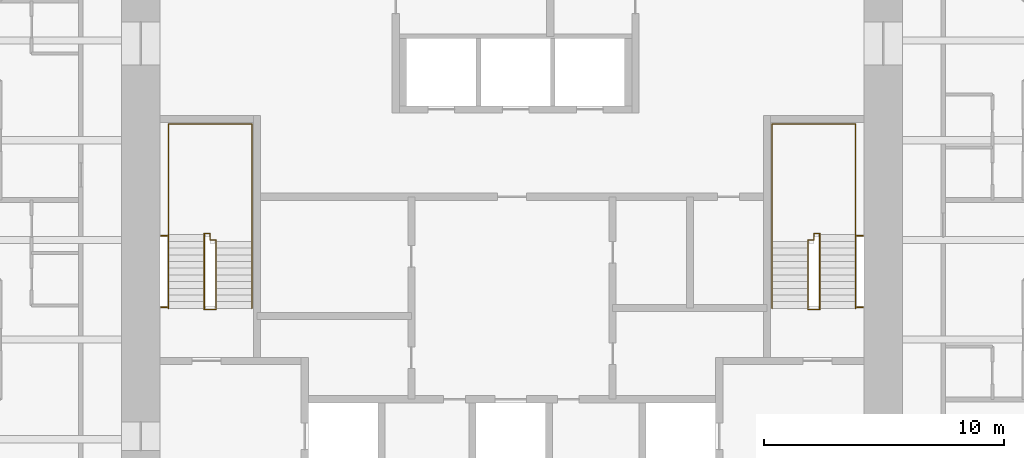
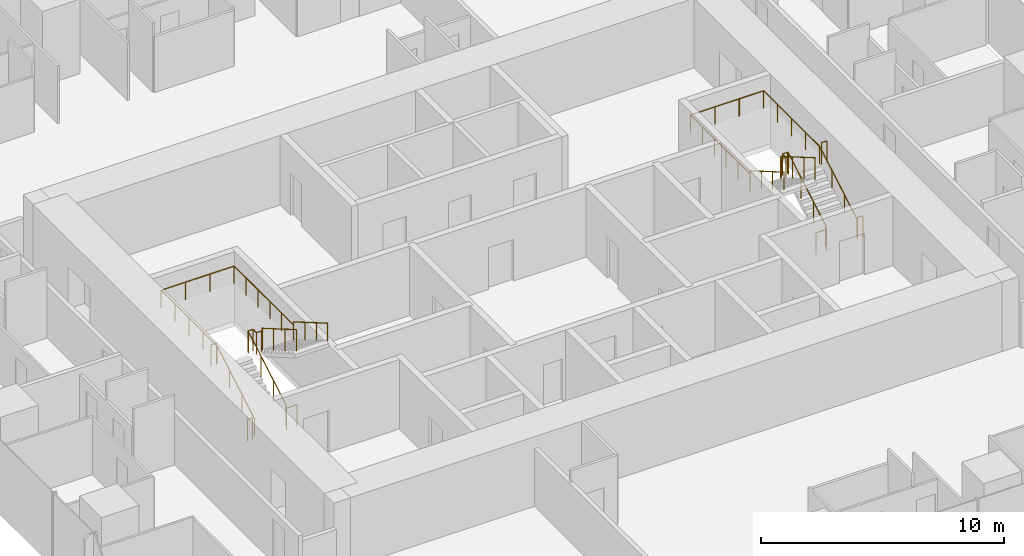
# One storey, part 12 of 12: 8 railings.
"""IFC4 building model written with IfcOpenShell, lengths in metres."""

from ifc_helpers import new_model, si_unit, direction, frame, origin, origin_2d, place, context, subcontext, project, spatial, circle, extrude, material, type_object, element, save


model = new_model("IFC4")

# Units and contexts
model_context = context("Model", 3, precision=1e-05, world=origin(), true_north=direction((0.0, 1.0)))
body_context = subcontext(model_context, "Body", "Model", "MODEL_VIEW")
ifc_project = project(units=[si_unit("LENGTHUNIT", "METRE"), si_unit("AREAUNIT", "SQUARE_METRE"), si_unit("VOLUMEUNIT", "CUBIC_METRE"), si_unit("PLANEANGLEUNIT", "RADIAN"), si_unit("MASSUNIT", "GRAM", prefix="KILO")], contexts=[model_context])

# Site, building, storey
site_placement = place(None, origin())
site = spatial("IfcSite", under=ifc_project, at=site_placement, CompositionType="ELEMENT")
building_placement = place(site_placement, origin())
building = spatial("IfcBuilding", under=site, at=building_placement, Name="Khuree Lantern Residences", CompositionType="ELEMENT")
storey_placement = place(building_placement, frame((0.0, 0.0, 240.75)))
storey = spatial("IfcBuildingStorey", under=building, at=storey_placement, Name="L60", CompositionType="ELEMENT", Elevation=240.75)

# Railings
ifc_material = material(Name="Steel S355", Category="steel")
railing_type_1 = type_object("IfcRailingType", Name="STAIR GUARD G1 1100", PredefinedType="GUARDRAIL", material=ifc_material)
railing_1_placement = place(storey_placement, frame((-12.35009765625, -2.909912109375, 0.0)))
element("IfcRailing", 1, at=railing_1_placement, inside=storey, type_object=railing_type_1, Name="Stair ST1 guard", PredefinedType="GUARDRAIL", context=body_context, shape_type="SweptSolid", body=[
    extrude(circle(Radius=0.02392578125, at=origin_2d()), frame((0.0, 0.0, 1.076171875), z_axis=(-1.0, 0.0, 0.0), x_axis=(0.0, -1.0, 0.0)), (0.0, 0.0, 1.0), 0.5),
    extrude(circle(Radius=0.02392578125, at=origin_2d()), frame((-0.5, 0.0, 1.076171875), z_axis=(0.0, 0.292073035251, 0.95639601739), x_axis=(-1.0, 0.0, 0.0)), (0.0, 0.0, 1.0), 0.17041015625),
    extrude(circle(Radius=0.02392578125, at=origin_2d()), frame((-0.5, 0.0498046875, 1.2392578125), z_axis=(0.0, 0.864176135923, 0.503189433615), x_axis=(-1.0, 0.0, 0.0)), (0.0, 0.0, 1.0), 3.564208984375),
    extrude(circle(Radius=0.02392578125, at=origin_2d()), frame((-0.5, 3.1298828125, 3.03271484375), z_axis=(0.0, 1.0, 0.0), x_axis=(-1.0, 0.0, 0.0)), (0.0, 0.0, 1.0), 0.050048828125),
    extrude(circle(Radius=0.02392578125, at=origin_2d()), frame((-0.5, 3.179931640625, 3.03271484375), z_axis=(1.0, 0.0, 0.0), x_axis=(0.0, 1.0, 0.0)), (0.0, 0.0, 1.0), 0.25),
    extrude(circle(Radius=0.02392578125, at=origin_2d()), frame((-0.25, 3.179931640625, 3.03271484375), z_axis=(0.0, -1.0, 0.0), x_axis=(1.0, 0.0, 0.0)), (0.0, 0.0, 1.0), 0.280029296875),
    extrude(circle(Radius=0.02392578125, at=origin_2d()), frame((-0.25, 2.89990234375, 3.03271484375), z_axis=(1.0, 0.0, 0.0), x_axis=(0.0, 1.0, 0.0)), (0.0, 0.0, 1.0), 0.25),
    extrude(circle(Radius=0.02392578125, at=origin_2d()), frame((0.0, 2.89990234375, 3.03271484375), z_axis=(0.0, -0.293381807449, 0.955995353053), x_axis=(1.0, 0.0, 0.0)), (0.0, 0.0, 1.0), 0.170654296875),
    extrude(circle(Radius=0.02392578125, at=origin_2d()), frame((0.0, 2.849853515625, 3.19580078125), z_axis=(0.0, -0.864180358799, 0.503182181189), x_axis=(1.0, 0.0, 0.0)), (0.0, 0.0, 1.0), 3.240234375),
    extrude(circle(Radius=0.02099609375, at=origin_2d()), origin(), (0.0, 0.0, 1.0), 1.052001953125),
    extrude(circle(Radius=0.02099609375, at=origin_2d()), frame((-0.5, 0.0, 0.0)), (0.0, 0.0, 1.0), 1.052001953125),
    extrude(circle(Radius=0.02099609375, at=origin_2d()), frame((-0.5, 0.0498046875, 0.1630859375)), (0.0, 0.0, 1.0), 1.052001953125),
    extrude(circle(Radius=0.02099609375, at=origin_2d()), frame((-0.5, 1.076416015625, 0.760986328125)), (0.0, 0.0, 1.0), 1.052001953125),
    extrude(circle(Radius=0.02099609375, at=origin_2d()), frame((-0.5, 2.103271484375, 1.358642578125)), (0.0, 0.0, 1.0), 1.052001953125),
    extrude(circle(Radius=0.02099609375, at=origin_2d()), frame((-0.5, 3.1298828125, 1.95654296875)), (0.0, 0.0, 1.0), 1.052001953125),
    extrude(circle(Radius=0.02099609375, at=origin_2d()), frame((-0.5, 3.179931640625, 1.95654296875)), (0.0, 0.0, 1.0), 1.052001953125),
    extrude(circle(Radius=0.02099609375, at=origin_2d()), frame((-0.25, 3.179931640625, 1.95654296875)), (0.0, 0.0, 1.0), 1.052001953125),
    extrude(circle(Radius=0.02099609375, at=origin_2d()), frame((-0.25, 2.89990234375, 1.95654296875)), (0.0, 0.0, 1.0), 1.052001953125),
    extrude(circle(Radius=0.02099609375, at=origin_2d()), frame((0.0, 2.89990234375, 1.95654296875)), (0.0, 0.0, 1.0), 1.052001953125),
    extrude(circle(Radius=0.02099609375, at=origin_2d()), frame((0.0, 2.849853515625, 2.11962890625)), (0.0, 0.0, 1.0), 1.052001953125),
    extrude(circle(Radius=0.02099609375, at=origin_2d()), frame((0.0, 1.91650390625, 2.6630859375)), (0.0, 0.0, 1.0), 1.052001953125),
    extrude(circle(Radius=0.02099609375, at=origin_2d()), frame((0.0, 0.983154296875, 3.20654296875)), (0.0, 0.0, 1.0), 1.052001953125),
    extrude(circle(Radius=0.02099609375, at=origin_2d()), frame((0.0, 0.0498046875, 3.75)), (0.0, 0.0, 1.0), 1.052001953125),
])
for number, where, name in (
    (2, (-14.64990234375, -2.81005859375, 0.0), "Stair ST1 landing slot guard"),
    (3, (-14.64990234375, 0.169921875, 1.95654296875), "Stair ST1 landing slot guard"),
):
    element("IfcRailing", number, at=place(storey_placement, frame(where)), inside=storey, type_object=railing_type_1, Name=name, PredefinedType="GUARDRAIL", context=body_context, shape_type="SweptSolid", body=[
        extrude(circle(Radius=0.02392578125, at=origin_2d()), frame((0.0, 0.0, 1.076171875), z_axis=(1.0, 0.0, 0.0), x_axis=(0.0, 1.0, 0.0)), (0.0, 0.0, 1.0), 0.25),
        extrude(circle(Radius=0.02099609375, at=origin_2d()), origin(), (0.0, 0.0, 1.0), 1.052001953125),
        extrude(circle(Radius=0.02099609375, at=origin_2d()), frame((0.25, 0.0, 0.0)), (0.0, 0.0, 1.0), 1.052001953125),
    ])
railing_2_placement = place(storey_placement, frame((12.35009765625, -2.909912109375, 0.0)))
element("IfcRailing", 4, at=railing_2_placement, inside=storey, type_object=railing_type_1, Name="Stair ST2 guard", PredefinedType="GUARDRAIL", context=body_context, shape_type="SweptSolid", body=[
    extrude(circle(Radius=0.02392578125, at=origin_2d()), frame((0.0, 0.0, 1.076171875), z_axis=(1.0, 0.0, 0.0), x_axis=(0.0, 1.0, 0.0)), (0.0, 0.0, 1.0), 0.5),
    extrude(circle(Radius=0.02392578125, at=origin_2d()), frame((0.5, 0.0, 1.076171875), z_axis=(0.0, 0.292073035251, 0.95639601739), x_axis=(-1.0, 0.0, 0.0)), (0.0, 0.0, 1.0), 0.17041015625),
    extrude(circle(Radius=0.02392578125, at=origin_2d()), frame((0.5, 0.0498046875, 1.2392578125), z_axis=(0.0, 0.864176135923, 0.503189433615), x_axis=(-1.0, 0.0, 0.0)), (0.0, 0.0, 1.0), 3.564208984375),
    extrude(circle(Radius=0.02392578125, at=origin_2d()), frame((0.5, 3.1298828125, 3.03271484375), z_axis=(0.0, 1.0, 0.0), x_axis=(-1.0, 0.0, 0.0)), (0.0, 0.0, 1.0), 0.050048828125),
    extrude(circle(Radius=0.02392578125, at=origin_2d()), frame((0.5, 3.179931640625, 3.03271484375), z_axis=(-1.0, 0.0, 0.0), x_axis=(0.0, -1.0, 0.0)), (0.0, 0.0, 1.0), 0.25),
    extrude(circle(Radius=0.02392578125, at=origin_2d()), frame((0.25, 3.179931640625, 3.03271484375), z_axis=(0.0, -1.0, 0.0), x_axis=(1.0, 0.0, 0.0)), (0.0, 0.0, 1.0), 0.280029296875),
    extrude(circle(Radius=0.02392578125, at=origin_2d()), frame((0.25, 2.89990234375, 3.03271484375), z_axis=(-1.0, 0.0, 0.0), x_axis=(0.0, -1.0, 0.0)), (0.0, 0.0, 1.0), 0.25),
    extrude(circle(Radius=0.02392578125, at=origin_2d()), frame((0.0, 2.89990234375, 3.03271484375), z_axis=(0.0, -0.293381807449, 0.955995353053), x_axis=(1.0, 0.0, 0.0)), (0.0, 0.0, 1.0), 0.170654296875),
    extrude(circle(Radius=0.02392578125, at=origin_2d()), frame((0.0, 2.849853515625, 3.19580078125), z_axis=(0.0, -0.864180358799, 0.503182181189), x_axis=(1.0, 0.0, 0.0)), (0.0, 0.0, 1.0), 3.240234375),
    extrude(circle(Radius=0.02099609375, at=origin_2d()), origin(), (0.0, 0.0, 1.0), 1.052001953125),
    extrude(circle(Radius=0.02099609375, at=origin_2d()), frame((0.5, 0.0, 0.0)), (0.0, 0.0, 1.0), 1.052001953125),
    extrude(circle(Radius=0.02099609375, at=origin_2d()), frame((0.5, 0.0498046875, 0.1630859375)), (0.0, 0.0, 1.0), 1.052001953125),
    extrude(circle(Radius=0.02099609375, at=origin_2d()), frame((0.5, 1.076416015625, 0.760986328125)), (0.0, 0.0, 1.0), 1.052001953125),
    extrude(circle(Radius=0.02099609375, at=origin_2d()), frame((0.5, 2.103271484375, 1.358642578125)), (0.0, 0.0, 1.0), 1.052001953125),
    extrude(circle(Radius=0.02099609375, at=origin_2d()), frame((0.5, 3.1298828125, 1.95654296875)), (0.0, 0.0, 1.0), 1.052001953125),
    extrude(circle(Radius=0.02099609375, at=origin_2d()), frame((0.5, 3.179931640625, 1.95654296875)), (0.0, 0.0, 1.0), 1.052001953125),
    extrude(circle(Radius=0.02099609375, at=origin_2d()), frame((0.25, 3.179931640625, 1.95654296875)), (0.0, 0.0, 1.0), 1.052001953125),
    extrude(circle(Radius=0.02099609375, at=origin_2d()), frame((0.25, 2.89990234375, 1.95654296875)), (0.0, 0.0, 1.0), 1.052001953125),
    extrude(circle(Radius=0.02099609375, at=origin_2d()), frame((0.0, 2.89990234375, 1.95654296875)), (0.0, 0.0, 1.0), 1.052001953125),
    extrude(circle(Radius=0.02099609375, at=origin_2d()), frame((0.0, 2.849853515625, 2.11962890625)), (0.0, 0.0, 1.0), 1.052001953125),
    extrude(circle(Radius=0.02099609375, at=origin_2d()), frame((0.0, 1.91650390625, 2.6630859375)), (0.0, 0.0, 1.0), 1.052001953125),
    extrude(circle(Radius=0.02099609375, at=origin_2d()), frame((0.0, 0.983154296875, 3.20654296875)), (0.0, 0.0, 1.0), 1.052001953125),
    extrude(circle(Radius=0.02099609375, at=origin_2d()), frame((0.0, 0.0498046875, 3.75)), (0.0, 0.0, 1.0), 1.052001953125),
])
for number, where, name in (
    (5, (14.64990234375, -2.81005859375, 0.0), "Stair ST2 landing slot guard"),
    (6, (14.64990234375, 0.169921875, 1.95654296875), "Stair ST2 landing slot guard"),
):
    element("IfcRailing", number, at=place(storey_placement, frame(where)), inside=storey, type_object=railing_type_1, Name=name, PredefinedType="GUARDRAIL", context=body_context, shape_type="SweptSolid", body=[
        extrude(circle(Radius=0.02392578125, at=origin_2d()), frame((0.0, 0.0, 1.076171875), z_axis=(-1.0, 0.0, 0.0), x_axis=(0.0, -1.0, 0.0)), (0.0, 0.0, 1.0), 0.25),
        extrude(circle(Radius=0.02099609375, at=origin_2d()), origin(), (0.0, 0.0, 1.0), 1.052001953125),
        extrude(circle(Radius=0.02099609375, at=origin_2d()), frame((-0.25, 0.0, 0.0)), (0.0, 0.0, 1.0), 1.052001953125),
    ])
railing_type_2 = type_object("IfcRailingType", Name="STAIR HANDRAIL H1 900", PredefinedType="HANDRAIL", material=ifc_material)
railing_3_placement = place(storey_placement, frame((-14.340087890625, -2.860107421875, 0.1630859375)))
element("IfcRailing", 7, at=railing_3_placement, inside=storey, type_object=railing_type_2, Name="Stair ST1 handrail", PredefinedType="HANDRAIL", context=body_context, shape_type="SweptSolid", body=[
    extrude(circle(Radius=0.02392578125, at=origin_2d()), frame((0.0, 0.0, 0.8759765625), z_axis=(0.0, 0.864176135923, 0.503189433615), x_axis=(-1.0, 0.0, 0.0)), (0.0, 0.0, 1.0), 3.564208984375),
    extrude(circle(Radius=0.02392578125, at=origin_2d()), frame((0.0, 3.080078125, 2.66943359375), z_axis=(0.0, 1.0, 0.0), x_axis=(-1.0, 0.0, 0.0)), (0.0, 0.0, 1.0), 4.6201171875),
    extrude(circle(Radius=0.02392578125, at=origin_2d()), frame((0.0, 7.7001953125, 2.66943359375), z_axis=(1.0, 0.0, 0.0), x_axis=(0.0, 1.0, 0.0)), (0.0, 0.0, 1.0), 3.47998046875),
    extrude(circle(Radius=0.02392578125, at=origin_2d()), frame((3.47998046875, 7.7001953125, 2.66943359375), z_axis=(0.0, -1.0, 0.0), x_axis=(1.0, 0.0, 0.0)), (0.0, 0.0, 1.0), 4.900146484375),
    extrude(circle(Radius=0.02392578125, at=origin_2d()), frame((3.47998046875, 2.800048828125, 2.66943359375), z_axis=(0.0, 0.0, 1.0), x_axis=(1.0, 0.0, 0.0)), (0.0, 0.0, 1.0), 0.1630859375),
    extrude(circle(Radius=0.02392578125, at=origin_2d()), frame((3.47998046875, 2.800048828125, 2.83251953125), z_axis=(0.0, -0.864180358799, 0.503182181189), x_axis=(1.0, 0.0, 0.0)), (0.0, 0.0, 1.0), 3.240234375),
    extrude(circle(Radius=0.02099609375, at=origin_2d()), origin(), (0.0, 0.0, 1.0), 0.851806640625),
    extrude(circle(Radius=0.02099609375, at=origin_2d()), frame((0.0, 1.026611328125, 0.597900390625)), (0.0, 0.0, 1.0), 0.851806640625),
    extrude(circle(Radius=0.02099609375, at=origin_2d()), frame((0.0, 2.053466796875, 1.195556640625)), (0.0, 0.0, 1.0), 0.851806640625),
    extrude(circle(Radius=0.02099609375, at=origin_2d()), frame((0.0, 3.080078125, 1.79345703125)), (0.0, 0.0, 1.0), 0.851806640625),
    extrude(circle(Radius=0.02099609375, at=origin_2d()), frame((0.0, 4.235107421875, 1.79345703125)), (0.0, 0.0, 1.0), 0.851806640625),
    extrude(circle(Radius=0.02099609375, at=origin_2d()), frame((0.0, 5.39013671875, 1.79345703125)), (0.0, 0.0, 1.0), 0.851806640625),
    extrude(circle(Radius=0.02099609375, at=origin_2d()), frame((0.0, 6.545166015625, 1.79345703125)), (0.0, 0.0, 1.0), 0.851806640625),
    extrude(circle(Radius=0.02099609375, at=origin_2d()), frame((0.0, 7.7001953125, 1.79345703125)), (0.0, 0.0, 1.0), 0.851806640625),
    extrude(circle(Radius=0.02099609375, at=origin_2d()), frame((1.159912109375, 7.7001953125, 1.79345703125)), (0.0, 0.0, 1.0), 0.851806640625),
    extrude(circle(Radius=0.02099609375, at=origin_2d()), frame((2.320068359375, 7.7001953125, 1.79345703125)), (0.0, 0.0, 1.0), 0.851806640625),
    extrude(circle(Radius=0.02099609375, at=origin_2d()), frame((3.47998046875, 7.7001953125, 1.79345703125)), (0.0, 0.0, 1.0), 0.851806640625),
    extrude(circle(Radius=0.02099609375, at=origin_2d()), frame((3.47998046875, 6.72021484375, 1.79345703125)), (0.0, 0.0, 1.0), 0.851806640625),
    extrude(circle(Radius=0.02099609375, at=origin_2d()), frame((3.47998046875, 5.740234375, 1.79345703125)), (0.0, 0.0, 1.0), 0.851806640625),
    extrude(circle(Radius=0.02099609375, at=origin_2d()), frame((3.47998046875, 4.760009765625, 1.79345703125)), (0.0, 0.0, 1.0), 0.851806640625),
    extrude(circle(Radius=0.02099609375, at=origin_2d()), frame((3.47998046875, 3.780029296875, 1.79345703125)), (0.0, 0.0, 1.0), 0.851806640625),
    extrude(circle(Radius=0.02099609375, at=origin_2d()), frame((3.47998046875, 2.800048828125, 1.79345703125)), (0.0, 0.0, 1.0), 0.851806640625),
    extrude(circle(Radius=0.02099609375, at=origin_2d()), frame((3.47998046875, 2.800048828125, 1.95654296875)), (0.0, 0.0, 1.0), 0.851806640625),
    extrude(circle(Radius=0.02099609375, at=origin_2d()), frame((3.47998046875, 1.86669921875, 2.5)), (0.0, 0.0, 1.0), 0.851806640625),
    extrude(circle(Radius=0.02099609375, at=origin_2d()), frame((3.47998046875, 0.933349609375, 3.04345703125)), (0.0, 0.0, 1.0), 0.851806640625),
    extrude(circle(Radius=0.02099609375, at=origin_2d()), frame((3.47998046875, 0.0, 3.5869140625)), (0.0, 0.0, 1.0), 0.851806640625),
])
railing_4_placement = place(storey_placement, frame((14.340087890625, -2.860107421875, 0.1630859375)))
element("IfcRailing", 8, at=railing_4_placement, inside=storey, type_object=railing_type_2, Name="Stair ST2 handrail", PredefinedType="HANDRAIL", context=body_context, shape_type="SweptSolid", body=[
    extrude(circle(Radius=0.02392578125, at=origin_2d()), frame((0.0, 0.0, 0.8759765625), z_axis=(0.0, 0.864176135923, 0.503189433615), x_axis=(-1.0, 0.0, 0.0)), (0.0, 0.0, 1.0), 3.564208984375),
    extrude(circle(Radius=0.02392578125, at=origin_2d()), frame((0.0, 3.080078125, 2.66943359375), z_axis=(0.0, 1.0, 0.0), x_axis=(-1.0, 0.0, 0.0)), (0.0, 0.0, 1.0), 4.6201171875),
    extrude(circle(Radius=0.02392578125, at=origin_2d()), frame((0.0, 7.7001953125, 2.66943359375), z_axis=(-1.0, 0.0, 0.0), x_axis=(0.0, -1.0, 0.0)), (0.0, 0.0, 1.0), 3.47998046875),
    extrude(circle(Radius=0.02392578125, at=origin_2d()), frame((-3.47998046875, 7.7001953125, 2.66943359375), z_axis=(0.0, -1.0, 0.0), x_axis=(1.0, 0.0, 0.0)), (0.0, 0.0, 1.0), 4.900146484375),
    extrude(circle(Radius=0.02392578125, at=origin_2d()), frame((-3.47998046875, 2.800048828125, 2.66943359375), z_axis=(0.0, 0.0, 1.0), x_axis=(1.0, 0.0, 0.0)), (0.0, 0.0, 1.0), 0.1630859375),
    extrude(circle(Radius=0.02392578125, at=origin_2d()), frame((-3.47998046875, 2.800048828125, 2.83251953125), z_axis=(0.0, -0.864180358799, 0.503182181189), x_axis=(1.0, 0.0, 0.0)), (0.0, 0.0, 1.0), 3.240234375),
    extrude(circle(Radius=0.02099609375, at=origin_2d()), origin(), (0.0, 0.0, 1.0), 0.851806640625),
    extrude(circle(Radius=0.02099609375, at=origin_2d()), frame((0.0, 1.026611328125, 0.597900390625)), (0.0, 0.0, 1.0), 0.851806640625),
    extrude(circle(Radius=0.02099609375, at=origin_2d()), frame((0.0, 2.053466796875, 1.195556640625)), (0.0, 0.0, 1.0), 0.851806640625),
    extrude(circle(Radius=0.02099609375, at=origin_2d()), frame((0.0, 3.080078125, 1.79345703125)), (0.0, 0.0, 1.0), 0.851806640625),
    extrude(circle(Radius=0.02099609375, at=origin_2d()), frame((0.0, 4.235107421875, 1.79345703125)), (0.0, 0.0, 1.0), 0.851806640625),
    extrude(circle(Radius=0.02099609375, at=origin_2d()), frame((0.0, 5.39013671875, 1.79345703125)), (0.0, 0.0, 1.0), 0.851806640625),
    extrude(circle(Radius=0.02099609375, at=origin_2d()), frame((0.0, 6.545166015625, 1.79345703125)), (0.0, 0.0, 1.0), 0.851806640625),
    extrude(circle(Radius=0.02099609375, at=origin_2d()), frame((0.0, 7.7001953125, 1.79345703125)), (0.0, 0.0, 1.0), 0.851806640625),
    extrude(circle(Radius=0.02099609375, at=origin_2d()), frame((-1.159912109375, 7.7001953125, 1.79345703125)), (0.0, 0.0, 1.0), 0.851806640625),
    extrude(circle(Radius=0.02099609375, at=origin_2d()), frame((-2.320068359375, 7.7001953125, 1.79345703125)), (0.0, 0.0, 1.0), 0.851806640625),
    extrude(circle(Radius=0.02099609375, at=origin_2d()), frame((-3.47998046875, 7.7001953125, 1.79345703125)), (0.0, 0.0, 1.0), 0.851806640625),
    extrude(circle(Radius=0.02099609375, at=origin_2d()), frame((-3.47998046875, 6.72021484375, 1.79345703125)), (0.0, 0.0, 1.0), 0.851806640625),
    extrude(circle(Radius=0.02099609375, at=origin_2d()), frame((-3.47998046875, 5.740234375, 1.79345703125)), (0.0, 0.0, 1.0), 0.851806640625),
    extrude(circle(Radius=0.02099609375, at=origin_2d()), frame((-3.47998046875, 4.760009765625, 1.79345703125)), (0.0, 0.0, 1.0), 0.851806640625),
    extrude(circle(Radius=0.02099609375, at=origin_2d()), frame((-3.47998046875, 3.780029296875, 1.79345703125)), (0.0, 0.0, 1.0), 0.851806640625),
    extrude(circle(Radius=0.02099609375, at=origin_2d()), frame((-3.47998046875, 2.800048828125, 1.79345703125)), (0.0, 0.0, 1.0), 0.851806640625),
    extrude(circle(Radius=0.02099609375, at=origin_2d()), frame((-3.47998046875, 2.800048828125, 1.95654296875)), (0.0, 0.0, 1.0), 0.851806640625),
    extrude(circle(Radius=0.02099609375, at=origin_2d()), frame((-3.47998046875, 1.86669921875, 2.5)), (0.0, 0.0, 1.0), 0.851806640625),
    extrude(circle(Radius=0.02099609375, at=origin_2d()), frame((-3.47998046875, 0.933349609375, 3.04345703125)), (0.0, 0.0, 1.0), 0.851806640625),
    extrude(circle(Radius=0.02099609375, at=origin_2d()), frame((-3.47998046875, 0.0, 3.5869140625)), (0.0, 0.0, 1.0), 0.851806640625),
])

save(model, "model.ifc")
